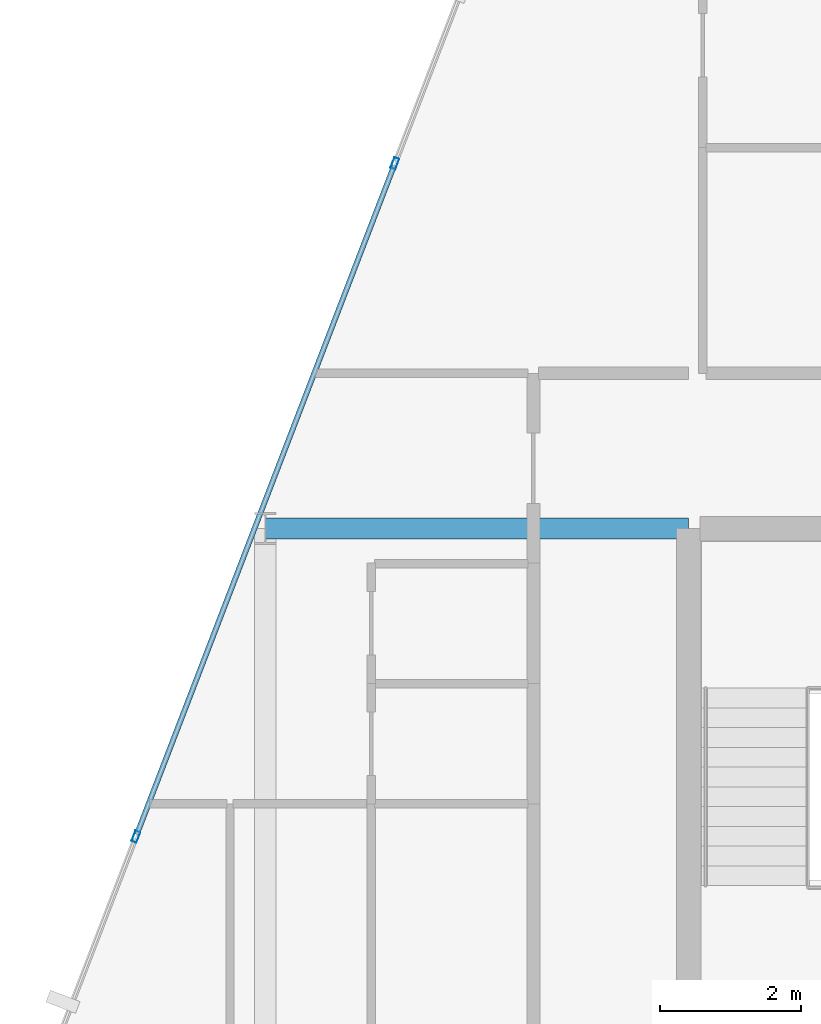
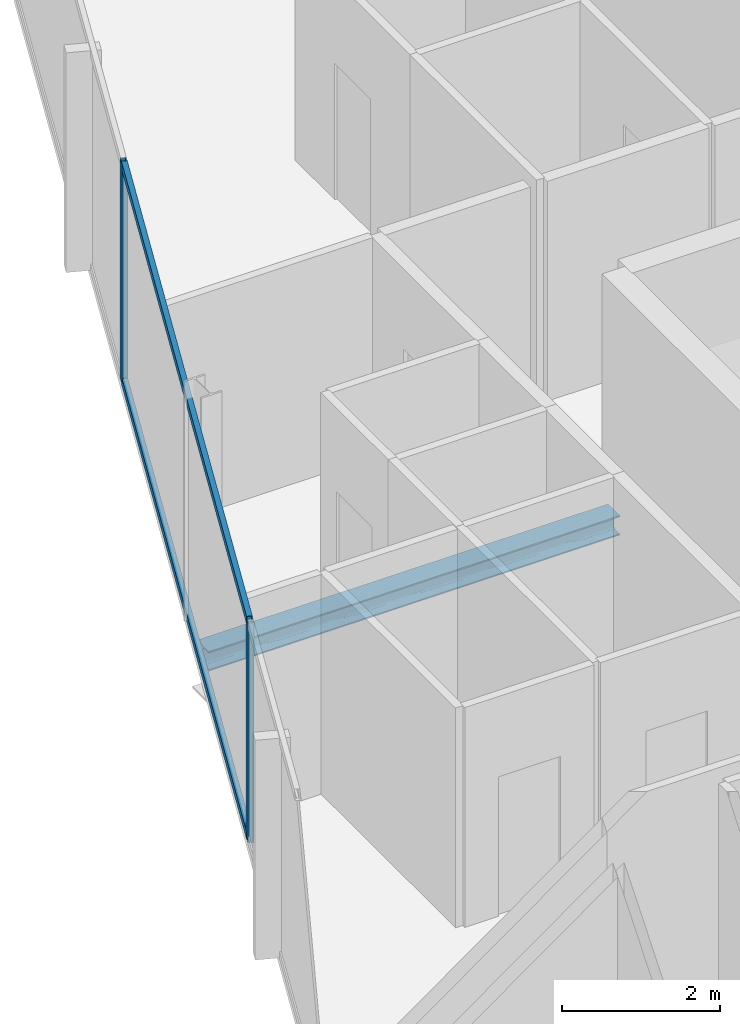
# One storey, part 16 of 29: 4 members, 1 beam, 1 element without a shape of its own.
"""IFC4 building model written with IfcOpenShell, lengths in metres."""

from ifc_helpers import new_model, si_unit, direction, frame, origin, origin_2d, place, context, subcontext, project, spatial, hollow_rectangle, i_section, extrude, material, layer, layer_set, material_profile, profile_set, type_object, element, aggregate, save


model = new_model("IFC4")

# Units and contexts
model_context = context("Model", 3, precision=1e-05, world=origin(), true_north=direction((0.0, 1.0)))
body_context = subcontext(model_context, "Body", "Model", "MODEL_VIEW")
ifc_project = project(units=[si_unit("LENGTHUNIT", "METRE"), si_unit("AREAUNIT", "SQUARE_METRE"), si_unit("VOLUMEUNIT", "CUBIC_METRE"), si_unit("PLANEANGLEUNIT", "RADIAN"), si_unit("MASSUNIT", "GRAM", prefix="KILO")], contexts=[model_context])

# Site, building, storey
site_placement = place(None, origin())
site = spatial("IfcSite", under=ifc_project, at=site_placement, CompositionType="ELEMENT")
building_placement = place(site_placement, origin())
building = spatial("IfcBuilding", under=site, at=building_placement, Name="Keshet Zoharim Tower", CompositionType="ELEMENT")
storey_placement = place(building_placement, frame((0.0, 0.0, 195.800048828125)))
storey = spatial("IfcBuildingStorey", under=building, at=storey_placement, Name="L48", CompositionType="ELEMENT", Elevation=195.800048828125)

# Beam
ifc_material_1 = material(Name="Steel S355", Category="steel")
ifc_material_profile_1 = material_profile(ifc_material_1, i_section(OverallWidth=0.300048828125, OverallDepth=0.300048828125, WebThickness=0.010986328125, FlangeThickness=0.01904296875, FilletRadius=0.027099609375, at=origin_2d()), Name="HEB300")
ifc_profile_set_1 = profile_set([ifc_material_profile_1], Name="Steel S355")
beam_type = type_object("IfcBeamType", Name="BM-PRI-HB300", PredefinedType="BEAM", material=ifc_profile_set_1)
beam_placement = place(storey_placement, frame((9.0, 37.89990234375, -0.4599609375), z_axis=(1.0, 0.0, 0.0), x_axis=(0.0, 1.0, 0.0)))
element("IfcBeam", 1, at=beam_placement, inside=storey, type_object=beam_type, Name="L48 Primary Girder X-017", PredefinedType="BEAM", context=body_context, shape_type="SweptSolid", body=[
    extrude(i_section(OverallWidth=0.300048828125, OverallDepth=0.300048828125, WebThickness=0.010986328125, FlangeThickness=0.01904296875, FilletRadius=0.027099609375, at=origin_2d()), origin(), (0.0, 0.0, 1.0), 6.0),
])

# Curtain wall, members
ifc_material_2 = material(Name="Aluminium 6063-T6", Category="aluminium")
ifc_layer = layer(ifc_material_2, 0.139892578125)
ifc_layer_set = layer_set([ifc_layer], Name="Aluminium 6063-T6")
curtain_wall_type = type_object("IfcCurtainWallType", Name="CW-SYS-05", PredefinedType="NOTDEFINED", material=ifc_layer_set)
curtain_wall_placement = place(storey_placement, origin())
curtain_wall = element("IfcCurtainWall", 2, at=curtain_wall_placement, inside=storey, type_object=curtain_wall_type, Name="L48 Unitised Curtain Wall 13", PredefinedType="NOTDEFINED")
ifc_material_profile_2 = material_profile(ifc_material_2, hollow_rectangle(XDim=0.074951171875, YDim=0.159912109375, WallThickness=0.00390625, at=origin_2d()), Name="MUL-75x160")
ifc_profile_set_2 = profile_set([ifc_material_profile_2], Name="Aluminium 6063-T6")
member_type_1 = type_object("IfcMemberType", Name="CWM-M15", PredefinedType="MULLION", material=ifc_profile_set_2)
member_1_placement = place(storey_placement, frame((7.1669921875, 33.53466796875, 0.0), z_axis=(0.0, 0.0, 1.0), x_axis=(-0.933341404361, 0.358990003907, 0.0)))
member_1 = element("IfcMember", 3, at=member_1_placement, type_object=member_type_1, Name="CW-05 mullion 2", PredefinedType="MULLION", context=body_context, shape_type="SweptSolid", body=[
    extrude(hollow_rectangle(XDim=0.074951171875, YDim=0.159912109375, WallThickness=0.00390625, at=origin_2d()), origin(), (0.0, 0.0, 1.0), 3.389892578125),
])
member_2_placement = place(storey_placement, frame((10.8369140625, 43.076416015625, 0.0), z_axis=(0.0, 0.0, 1.0), x_axis=(-0.933341404361, 0.358990003907, 0.0)))
member_2 = element("IfcMember", 4, at=member_2_placement, type_object=member_type_1, Name="CW-05 mullion 3", PredefinedType="MULLION", context=body_context, shape_type="SweptSolid", body=[
    extrude(hollow_rectangle(XDim=0.074951171875, YDim=0.159912109375, WallThickness=0.00390625, at=origin_2d()), origin(), (0.0, 0.0, 1.0), 3.389892578125),
])
ifc_material_profile_3 = material_profile(ifc_material_2, hollow_rectangle(XDim=0.074951171875, YDim=0.1201171875, WallThickness=0.00390625, at=origin_2d()), Name="TRN-75x120")
ifc_profile_set_3 = profile_set([ifc_material_profile_3], Name="Aluminium 6063-T6")
member_type_2 = type_object("IfcMemberType", Name="CWT-T12", PredefinedType="USERDEFINED", material=ifc_profile_set_3)
member_3_placement = place(storey_placement, frame((7.179443359375, 33.5673828125, 0.034912109375), z_axis=(0.359003248899, 0.933336309848, 0.0), x_axis=(-0.933336309848, 0.359003248899, 0.0)))
member_3 = element("IfcMember", 5, at=member_3_placement, type_object=member_type_2, Name="CW-05 transom 2.1", ObjectType="TRANSOM", PredefinedType="USERDEFINED", context=body_context, shape_type="SweptSolid", body=[
    extrude(hollow_rectangle(XDim=0.074951171875, YDim=0.1201171875, WallThickness=0.00390625, at=origin_2d()), origin(), (0.0, 0.0, 1.0), 10.153076171875),
])
member_4_placement = place(storey_placement, frame((7.179443359375, 33.5673828125, 3.35498046875), z_axis=(0.359003248899, 0.933336309848, 0.0), x_axis=(-0.933336309848, 0.359003248899, 0.0)))
member_4 = element("IfcMember", 6, at=member_4_placement, type_object=member_type_2, Name="CW-05 transom 2.2", ObjectType="TRANSOM", PredefinedType="USERDEFINED", context=body_context, shape_type="SweptSolid", body=[
    extrude(hollow_rectangle(XDim=0.074951171875, YDim=0.1201171875, WallThickness=0.00390625, at=origin_2d()), origin(), (0.0, 0.0, 1.0), 10.153076171875),
])
aggregate(curtain_wall, [member_1, member_2, member_3, member_4])

save(model, "model.ifc")
